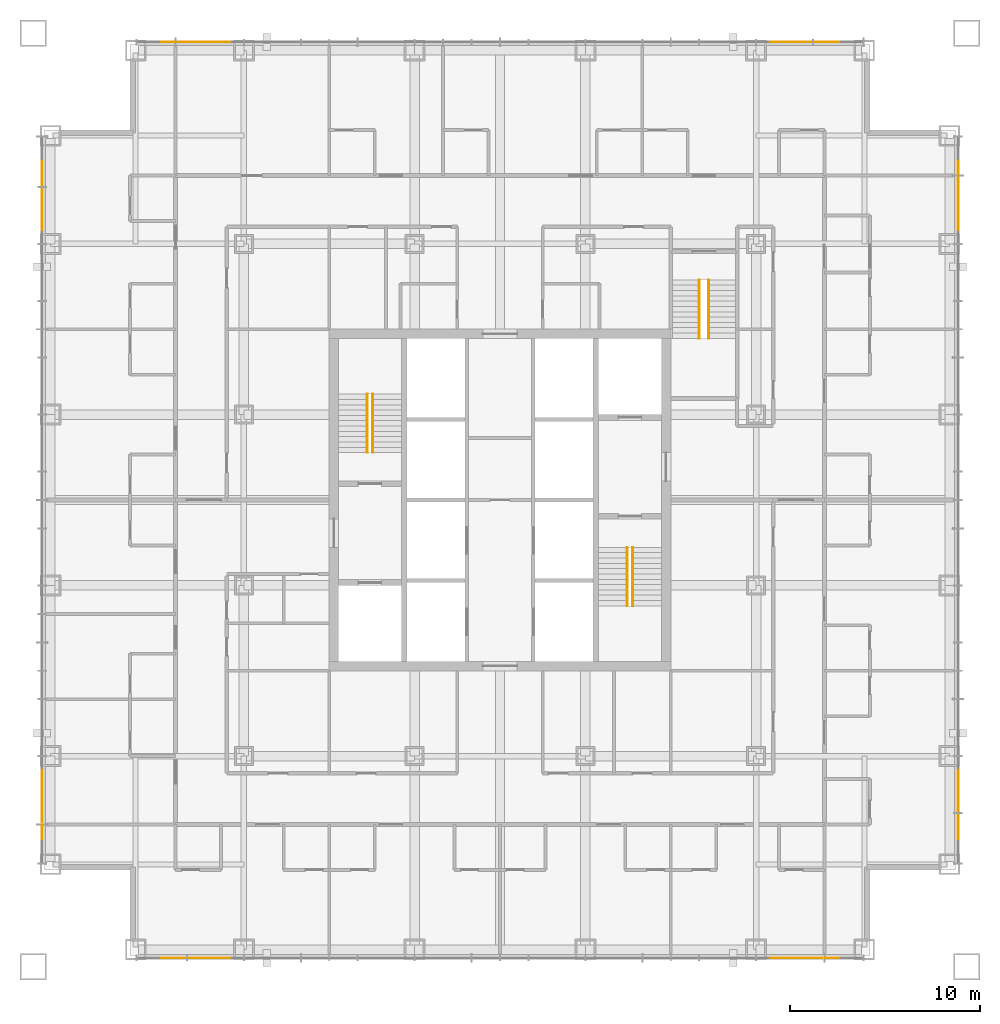
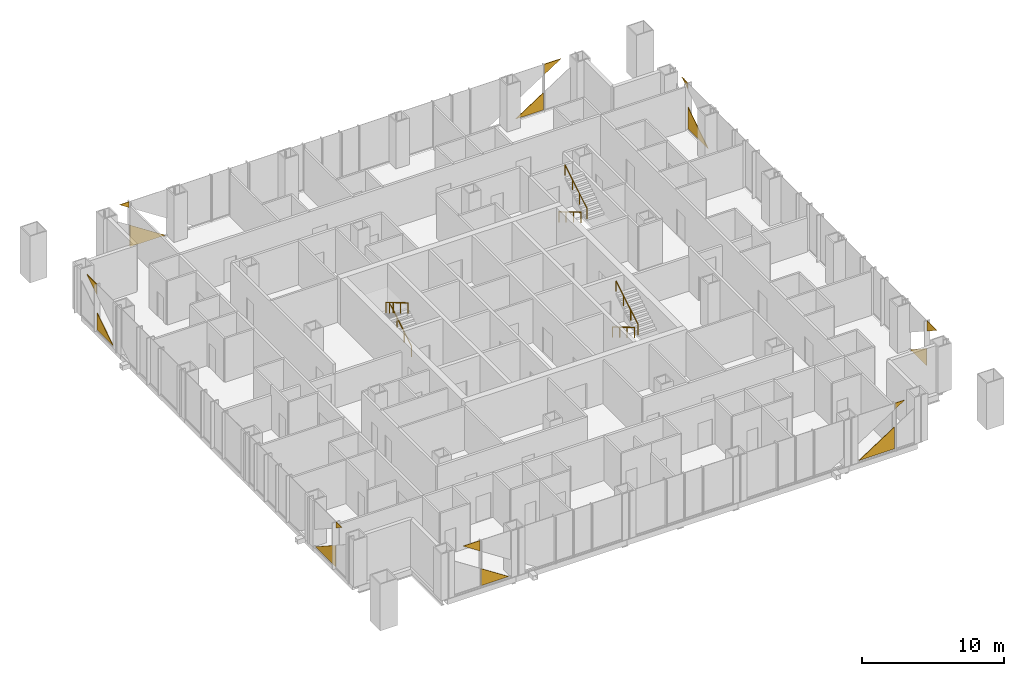
# One storey, part 14 of 14: 16 coverings, 6 railings.
"""IFC4 building model written with IfcOpenShell, lengths in metres."""

from ifc_helpers import new_model, si_unit, direction, frame, origin, origin_2d, place, context, subcontext, project, spatial, polyline, circle, outline, extrude, material, layer, layer_set, type_object, element, save


model = new_model("IFC4")

# Units and contexts
model_context = context("Model", 3, precision=1e-05, world=origin(), true_north=direction((0.0, 1.0)))
body_context = subcontext(model_context, "Body", "Model", "MODEL_VIEW")
ifc_project = project(units=[si_unit("LENGTHUNIT", "METRE"), si_unit("AREAUNIT", "SQUARE_METRE"), si_unit("VOLUMEUNIT", "CUBIC_METRE"), si_unit("PLANEANGLEUNIT", "RADIAN"), si_unit("MASSUNIT", "GRAM", prefix="KILO")], contexts=[model_context])

# Site, building, storey
site_placement = place(None, origin())
site = spatial("IfcSite", under=ifc_project, at=site_placement, CompositionType="ELEMENT")
building_placement = place(site_placement, origin())
building = spatial("IfcBuilding", under=site, at=building_placement, Name="Malebo Sky Hospital", CompositionType="ELEMENT")
storey_placement = place(building_placement, frame((0.0, 0.0, 164.0)))
storey = spatial("IfcBuildingStorey", under=building, at=storey_placement, Name="L39", CompositionType="ELEMENT", Elevation=164.0)

# Coverings
ifc_material_1 = material(Name="Anodised aluminium, natural silver insulated infill panel", Category="aluminium")
ifc_layer = layer(ifc_material_1, 0.0400390625)
ifc_layer_set = layer_set([ifc_layer], Name="BRACE INFILL PANEL 40")
covering_type = type_object("IfcCoveringType", Name="BRACE INFILL PANEL 40", PredefinedType="CLADDING", material=ifc_layer_set)
covering_1_placement = place(storey_placement, frame((42.480224609375, 86.135009765625, 3.49267578125), z_axis=(0.0, 0.0, 1.0), x_axis=(1.0, 0.0, 0.0)))
element("IfcCovering", 1, at=covering_1_placement, inside=storey, type_object=covering_type, Name="Brace infill panel 1.1", PredefinedType="CLADDING", context=body_context, shape_type="SweptSolid", body=[
    extrude(outline(polyline([(0.38232421875, 0.0), (0.38232421875, 0.497314453125), (-0.382568359375, 0.497314453125), (0.38232421875, 0.0)])), frame((0.0, 0.02001953125, 0.0), z_axis=(0.0, -1.0, 0.0), x_axis=(1.0, 0.0, 0.0)), (0.0, 0.0, 1.0), 0.0400390625),
])
covering_2_placement = place(storey_placement, frame((44.36083984375, 86.135009765625, 0.099853515625), z_axis=(0.0, 0.0, 1.0), x_axis=(1.0, 0.0, 0.0)))
element("IfcCovering", 2, at=covering_2_placement, inside=storey, type_object=covering_type, Name="Brace infill panel 2.1", PredefinedType="CLADDING", context=body_context, shape_type="SweptSolid", body=[
    extrude(outline(polyline([(-1.42333984375, 0.0), (1.42333984375, 0.0), (-1.42333984375, 1.8515625), (-1.42333984375, 0.0)])), frame((0.0, 0.02001953125, 0.0), z_axis=(0.0, -1.0, 0.0), x_axis=(1.0, 0.0, 0.0)), (0.0, 0.0, 1.0), 0.0400390625),
])
covering_3_placement = place(storey_placement, frame((75.339111328125, 86.135009765625, 0.10009765625), z_axis=(0.0, 0.0, 1.0), x_axis=(1.0, 0.0, 0.0)))
element("IfcCovering", 3, at=covering_3_placement, inside=storey, type_object=covering_type, Name="Brace infill panel 16.1", PredefinedType="CLADDING", context=body_context, shape_type="SweptSolid", body=[
    extrude(outline(polyline([(-1.123291015625, 0.0), (1.123291015625, 0.0), (1.123291015625, 1.461181640625), (-1.123291015625, 0.0)])), frame((0.0, 0.02001953125, 0.0), z_axis=(0.0, -1.0, 0.0), x_axis=(1.0, 0.0, 0.0)), (0.0, 0.0, 1.0), 0.0400390625),
])
covering_4_placement = place(storey_placement, frame((77.219970703125, 86.135009765625, 3.102294921875), z_axis=(0.0, 0.0, 1.0), x_axis=(1.0, 0.0, 0.0)))
element("IfcCovering", 4, at=covering_4_placement, inside=storey, type_object=covering_type, Name="Brace infill panel 17.1", PredefinedType="CLADDING", context=body_context, shape_type="SweptSolid", body=[
    extrude(outline(polyline([(-0.682373046875, 0.0), (0.682373046875, 0.8876953125), (-0.682373046875, 0.8876953125), (-0.682373046875, 0.0)])), frame((0.0, 0.02001953125, 0.0), z_axis=(0.0, -1.0, 0.0), x_axis=(1.0, 0.0, 0.0)), (0.0, 0.0, 1.0), 0.0400390625),
])
covering_5_placement = place(storey_placement, frame((35.864990234375, 44.480224609375, 3.49267578125), z_axis=(0.0, 0.0, 1.0), x_axis=(0.0, 1.0, 0.0)))
element("IfcCovering", 5, at=covering_5_placement, inside=storey, type_object=covering_type, Name="Brace infill panel 1.1", PredefinedType="CLADDING", context=body_context, shape_type="SweptSolid", body=[
    extrude(outline(polyline([(0.38232421875, 0.0), (0.38232421875, 0.497314453125), (-0.382568359375, 0.497314453125), (0.38232421875, 0.0)])), frame((0.0, 0.02001953125, 0.0), z_axis=(0.0, -1.0, 0.0), x_axis=(1.0, 0.0, 0.0)), (0.0, 0.0, 1.0), 0.0400390625),
])
covering_6_placement = place(storey_placement, frame((35.864990234375, 46.36083984375, 0.099853515625), z_axis=(0.0, 0.0, 1.0), x_axis=(0.0, 1.0, 0.0)))
element("IfcCovering", 6, at=covering_6_placement, inside=storey, type_object=covering_type, Name="Brace infill panel 2.1", PredefinedType="CLADDING", context=body_context, shape_type="SweptSolid", body=[
    extrude(outline(polyline([(-1.42333984375, 0.0), (1.42333984375, 0.0), (-1.42333984375, 1.8515625), (-1.42333984375, 0.0)])), frame((0.0, 0.02001953125, 0.0), z_axis=(0.0, -1.0, 0.0), x_axis=(1.0, 0.0, 0.0)), (0.0, 0.0, 1.0), 0.0400390625),
])
covering_7_placement = place(storey_placement, frame((35.864990234375, 77.339111328125, 0.10009765625), z_axis=(0.0, 0.0, 1.0), x_axis=(0.0, 1.0, 0.0)))
element("IfcCovering", 7, at=covering_7_placement, inside=storey, type_object=covering_type, Name="Brace infill panel 16.1", PredefinedType="CLADDING", context=body_context, shape_type="SweptSolid", body=[
    extrude(outline(polyline([(-1.123291015625, 0.0), (1.123291015625, 0.0), (1.123291015625, 1.461181640625), (-1.123291015625, 0.0)])), frame((0.0, 0.02001953125, 0.0), z_axis=(0.0, -1.0, 0.0), x_axis=(1.0, 0.0, 0.0)), (0.0, 0.0, 1.0), 0.0400390625),
])
covering_8_placement = place(storey_placement, frame((35.864990234375, 79.219970703125, 3.102294921875), z_axis=(0.0, 0.0, 1.0), x_axis=(0.0, 1.0, 0.0)))
element("IfcCovering", 8, at=covering_8_placement, inside=storey, type_object=covering_type, Name="Brace infill panel 17.1", PredefinedType="CLADDING", context=body_context, shape_type="SweptSolid", body=[
    extrude(outline(polyline([(-0.682373046875, 0.0), (0.682373046875, 0.8876953125), (-0.682373046875, 0.8876953125), (-0.682373046875, 0.0)])), frame((0.0, 0.02001953125, 0.0), z_axis=(0.0, -1.0, 0.0), x_axis=(1.0, 0.0, 0.0)), (0.0, 0.0, 1.0), 0.0400390625),
])
covering_9_placement = place(storey_placement, frame((77.519775390625, 37.864990234375, 3.49267578125), z_axis=(0.0, 0.0, 1.0), x_axis=(-1.0, 0.0, 0.0)))
element("IfcCovering", 9, at=covering_9_placement, inside=storey, type_object=covering_type, Name="Brace infill panel 1.1", PredefinedType="CLADDING", context=body_context, shape_type="SweptSolid", body=[
    extrude(outline(polyline([(0.38232421875, 0.0), (0.38232421875, 0.497314453125), (-0.382568359375, 0.497314453125), (0.38232421875, 0.0)])), frame((0.0, 0.02001953125, 0.0), z_axis=(0.0, -1.0, 0.0), x_axis=(1.0, 0.0, 0.0)), (0.0, 0.0, 1.0), 0.0400390625),
])
covering_10_placement = place(storey_placement, frame((75.63916015625, 37.864990234375, 0.099853515625), z_axis=(0.0, 0.0, 1.0), x_axis=(-1.0, 0.0, 0.0)))
element("IfcCovering", 10, at=covering_10_placement, inside=storey, type_object=covering_type, Name="Brace infill panel 2.1", PredefinedType="CLADDING", context=body_context, shape_type="SweptSolid", body=[
    extrude(outline(polyline([(-1.42333984375, 0.0), (1.42333984375, 0.0), (-1.42333984375, 1.8515625), (-1.42333984375, 0.0)])), frame((0.0, 0.02001953125, 0.0), z_axis=(0.0, -1.0, 0.0), x_axis=(1.0, 0.0, 0.0)), (0.0, 0.0, 1.0), 0.0400390625),
])
covering_11_placement = place(storey_placement, frame((44.660888671875, 37.864990234375, 0.10009765625), z_axis=(0.0, 0.0, 1.0), x_axis=(-1.0, 0.0, 0.0)))
element("IfcCovering", 11, at=covering_11_placement, inside=storey, type_object=covering_type, Name="Brace infill panel 15.1", PredefinedType="CLADDING", context=body_context, shape_type="SweptSolid", body=[
    extrude(outline(polyline([(-1.123291015625, 0.0), (1.123291015625, 0.0), (1.123291015625, 1.461181640625), (-1.123291015625, 0.0)])), frame((0.0, 0.02001953125, 0.0), z_axis=(0.0, -1.0, 0.0), x_axis=(1.0, 0.0, 0.0)), (0.0, 0.0, 1.0), 0.0400390625),
])
covering_12_placement = place(storey_placement, frame((42.780029296875, 37.864990234375, 3.102294921875), z_axis=(0.0, 0.0, 1.0), x_axis=(-1.0, 0.0, 0.0)))
element("IfcCovering", 12, at=covering_12_placement, inside=storey, type_object=covering_type, Name="Brace infill panel 16.1", PredefinedType="CLADDING", context=body_context, shape_type="SweptSolid", body=[
    extrude(outline(polyline([(-0.682373046875, 0.0), (0.682373046875, 0.8876953125), (-0.682373046875, 0.8876953125), (-0.682373046875, 0.0)])), frame((0.0, 0.02001953125, 0.0), z_axis=(0.0, -1.0, 0.0), x_axis=(1.0, 0.0, 0.0)), (0.0, 0.0, 1.0), 0.0400390625),
])
covering_13_placement = place(storey_placement, frame((84.135009765625, 79.519775390625, 3.49267578125), z_axis=(0.0, 0.0, 1.0), x_axis=(0.0, -1.0, 0.0)))
element("IfcCovering", 13, at=covering_13_placement, inside=storey, type_object=covering_type, Name="Brace infill panel 1.1", PredefinedType="CLADDING", context=body_context, shape_type="SweptSolid", body=[
    extrude(outline(polyline([(0.38232421875, 0.0), (0.38232421875, 0.497314453125), (-0.382568359375, 0.497314453125), (0.38232421875, 0.0)])), frame((0.0, 0.02001953125, 0.0), z_axis=(0.0, -1.0, 0.0), x_axis=(1.0, 0.0, 0.0)), (0.0, 0.0, 1.0), 0.0400390625),
])
covering_14_placement = place(storey_placement, frame((84.135009765625, 77.63916015625, 0.099853515625), z_axis=(0.0, 0.0, 1.0), x_axis=(0.0, -1.0, 0.0)))
element("IfcCovering", 14, at=covering_14_placement, inside=storey, type_object=covering_type, Name="Brace infill panel 2.1", PredefinedType="CLADDING", context=body_context, shape_type="SweptSolid", body=[
    extrude(outline(polyline([(-1.42333984375, 0.0), (1.42333984375, 0.0), (-1.42333984375, 1.8515625), (-1.42333984375, 0.0)])), frame((0.0, 0.02001953125, 0.0), z_axis=(0.0, -1.0, 0.0), x_axis=(1.0, 0.0, 0.0)), (0.0, 0.0, 1.0), 0.0400390625),
])
covering_15_placement = place(storey_placement, frame((84.135009765625, 46.660888671875, 0.10009765625), z_axis=(0.0, 0.0, 1.0), x_axis=(0.0, -1.0, 0.0)))
element("IfcCovering", 15, at=covering_15_placement, inside=storey, type_object=covering_type, Name="Brace infill panel 15.1", PredefinedType="CLADDING", context=body_context, shape_type="SweptSolid", body=[
    extrude(outline(polyline([(-1.123291015625, 0.0), (1.123291015625, 0.0), (1.123291015625, 1.461181640625), (-1.123291015625, 0.0)])), frame((0.0, 0.02001953125, 0.0), z_axis=(0.0, -1.0, 0.0), x_axis=(1.0, 0.0, 0.0)), (0.0, 0.0, 1.0), 0.0400390625),
])
covering_16_placement = place(storey_placement, frame((84.135009765625, 44.780029296875, 3.102294921875), z_axis=(0.0, 0.0, 1.0), x_axis=(0.0, -1.0, 0.0)))
element("IfcCovering", 16, at=covering_16_placement, inside=storey, type_object=covering_type, Name="Brace infill panel 16.1", PredefinedType="CLADDING", context=body_context, shape_type="SweptSolid", body=[
    extrude(outline(polyline([(-0.682373046875, 0.0), (0.682373046875, 0.8876953125), (-0.682373046875, 0.8876953125), (-0.682373046875, 0.0)])), frame((0.0, 0.02001953125, 0.0), z_axis=(0.0, -1.0, 0.0), x_axis=(1.0, 0.0, 0.0)), (0.0, 0.0, 1.0), 0.0400390625),
])

# Railings
ifc_material_2 = material(Name="Stainless steel tube", Category="steel")
railing_type = type_object("IfcRailingType", Name="STAIR HANDRAIL 900", PredefinedType="HANDRAIL", material=ifc_material_2)
railing_1_placement = place(storey_placement, frame((53.300048828125, 64.5, 0.166748046875)))
element("IfcRailing", 17, at=railing_1_placement, inside=storey, type_object=railing_type, Name="Stair handrail S1 flight 1", PredefinedType="HANDRAIL", context=body_context, shape_type="SweptSolid", body=[
    extrude(circle(Radius=0.02392578125, at=origin_2d()), frame((0.0, 0.0, 0.8759765625), z_axis=(0.0, 0.859308565015, 0.511457515432), x_axis=(-1.0, 0.0, 0.0)), (0.0, 0.0, 1.0), 3.58447265625),
    extrude(circle(Radius=0.02099609375, at=origin_2d()), origin(), (0.0, 0.0, 1.0), 0.851806640625),
    extrude(circle(Radius=0.02099609375, at=origin_2d()), frame((0.0, 1.026611328125, 0.611083984375)), (0.0, 0.0, 1.0), 0.851806640625),
    extrude(circle(Radius=0.02099609375, at=origin_2d()), frame((0.0, 2.053466796875, 1.22216796875)), (0.0, 0.0, 1.0), 0.851806640625),
    extrude(circle(Radius=0.02099609375, at=origin_2d()), frame((0.0, 3.080078125, 1.833251953125)), (0.0, 0.0, 1.0), 0.851806640625),
])
for number, where, name in (
    (18, (53.0, 67.580078125, 2.166748046875), "Stair handrail S1 flight 2"),
    (19, (66.699951171875, 59.5, 0.166748046875), "Stair handrail S2 flight 1"),
):
    element("IfcRailing", number, at=place(storey_placement, frame(where)), inside=storey, type_object=railing_type, Name=name, PredefinedType="HANDRAIL", context=body_context, shape_type="SweptSolid", body=[
        extrude(circle(Radius=0.02392578125, at=origin_2d()), frame((0.0, 0.0, 0.8759765625), z_axis=(0.0, -0.859308565015, 0.511457515432), x_axis=(1.0, 0.0, 0.0)), (0.0, 0.0, 1.0), 3.58447265625),
        extrude(circle(Radius=0.02099609375, at=origin_2d()), origin(), (0.0, 0.0, 1.0), 0.851806640625),
        extrude(circle(Radius=0.02099609375, at=origin_2d()), frame((0.0, -1.026611328125, 0.611083984375)), (0.0, 0.0, 1.0), 0.851806640625),
        extrude(circle(Radius=0.02099609375, at=origin_2d()), frame((0.0, -2.053466796875, 1.22216796875)), (0.0, 0.0, 1.0), 0.851806640625),
        extrude(circle(Radius=0.02099609375, at=origin_2d()), frame((0.0, -3.080078125, 1.833251953125)), (0.0, 0.0, 1.0), 0.851806640625),
    ])
railing_2_placement = place(storey_placement, frame((67.0, 56.419921875, 2.166748046875)))
element("IfcRailing", 20, at=railing_2_placement, inside=storey, type_object=railing_type, Name="Stair handrail S2 flight 2", PredefinedType="HANDRAIL", context=body_context, shape_type="SweptSolid", body=[
    extrude(circle(Radius=0.02392578125, at=origin_2d()), frame((0.0, 0.0, 0.8759765625), z_axis=(0.0, 0.859308565015, 0.511457515432), x_axis=(-1.0, 0.0, 0.0)), (0.0, 0.0, 1.0), 3.58447265625),
    extrude(circle(Radius=0.02099609375, at=origin_2d()), origin(), (0.0, 0.0, 1.0), 0.851806640625),
    extrude(circle(Radius=0.02099609375, at=origin_2d()), frame((0.0, 1.026611328125, 0.611083984375)), (0.0, 0.0, 1.0), 0.851806640625),
    extrude(circle(Radius=0.02099609375, at=origin_2d()), frame((0.0, 2.053466796875, 1.22216796875)), (0.0, 0.0, 1.0), 0.851806640625),
    extrude(circle(Radius=0.02099609375, at=origin_2d()), frame((0.0, 3.080078125, 1.833251953125)), (0.0, 0.0, 1.0), 0.851806640625),
])
railing_3_placement = place(storey_placement, frame((70.5, 73.60009765625, 0.166748046875)))
element("IfcRailing", 21, at=railing_3_placement, inside=storey, type_object=railing_type, Name="Stair handrail S3 flight 1", PredefinedType="HANDRAIL", context=body_context, shape_type="SweptSolid", body=[
    extrude(circle(Radius=0.02392578125, at=origin_2d()), frame((0.0, 0.0, 0.8759765625), z_axis=(0.0, -0.859308565015, 0.511457515432), x_axis=(1.0, 0.0, 0.0)), (0.0, 0.0, 1.0), 3.58447265625),
    extrude(circle(Radius=0.02099609375, at=origin_2d()), origin(), (0.0, 0.0, 1.0), 0.851806640625),
    extrude(circle(Radius=0.02099609375, at=origin_2d()), frame((0.0, -1.026611328125, 0.611083984375)), (0.0, 0.0, 1.0), 0.851806640625),
    extrude(circle(Radius=0.02099609375, at=origin_2d()), frame((0.0, -2.053466796875, 1.22216796875)), (0.0, 0.0, 1.0), 0.851806640625),
    extrude(circle(Radius=0.02099609375, at=origin_2d()), frame((0.0, -3.080078125, 1.833251953125)), (0.0, 0.0, 1.0), 0.851806640625),
])
railing_4_placement = place(storey_placement, frame((71.0, 70.52001953125, 2.166748046875)))
element("IfcRailing", 22, at=railing_4_placement, inside=storey, type_object=railing_type, Name="Stair handrail S3 flight 2", PredefinedType="HANDRAIL", context=body_context, shape_type="SweptSolid", body=[
    extrude(circle(Radius=0.02392578125, at=origin_2d()), frame((0.0, 0.0, 0.8759765625), z_axis=(0.0, 0.859308565015, 0.511457515432), x_axis=(-1.0, 0.0, 0.0)), (0.0, 0.0, 1.0), 3.58447265625),
    extrude(circle(Radius=0.02099609375, at=origin_2d()), origin(), (0.0, 0.0, 1.0), 0.851806640625),
    extrude(circle(Radius=0.02099609375, at=origin_2d()), frame((0.0, 1.026611328125, 0.611083984375)), (0.0, 0.0, 1.0), 0.851806640625),
    extrude(circle(Radius=0.02099609375, at=origin_2d()), frame((0.0, 2.053466796875, 1.22216796875)), (0.0, 0.0, 1.0), 0.851806640625),
    extrude(circle(Radius=0.02099609375, at=origin_2d()), frame((0.0, 3.080078125, 1.833251953125)), (0.0, 0.0, 1.0), 0.851806640625),
])

save(model, "model.ifc")
